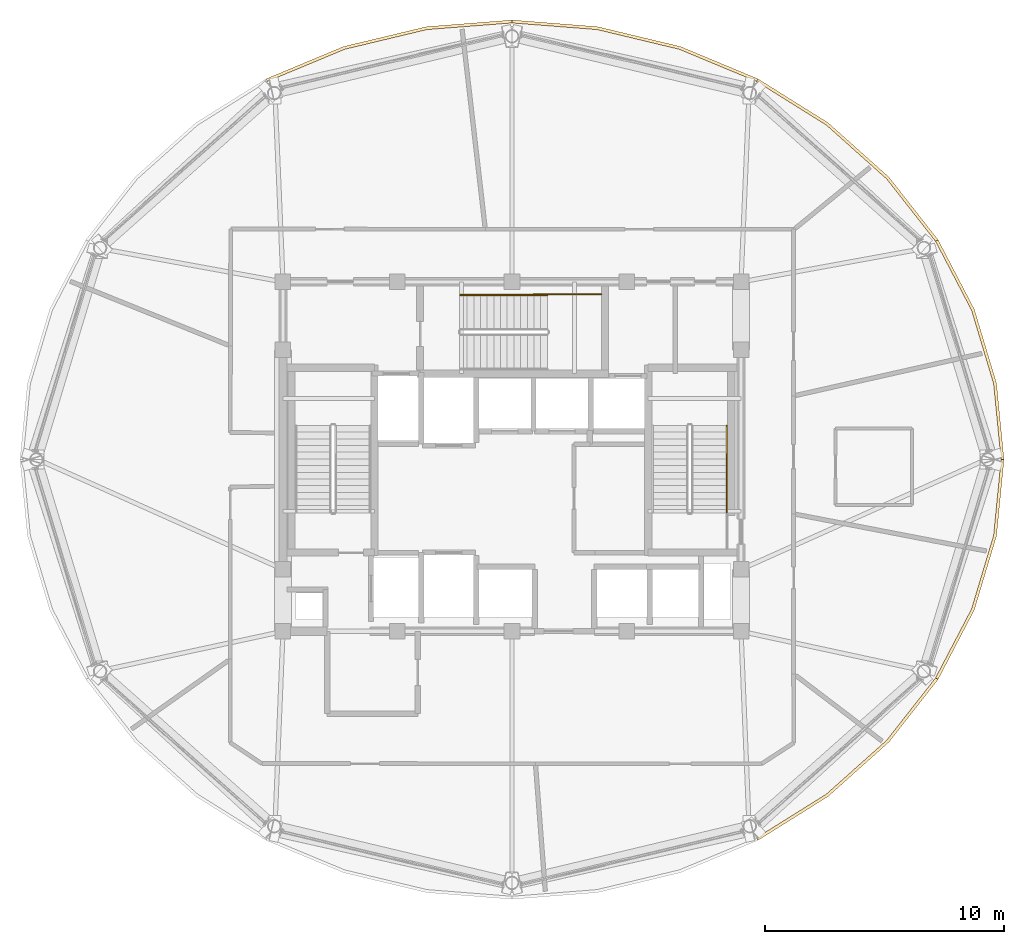
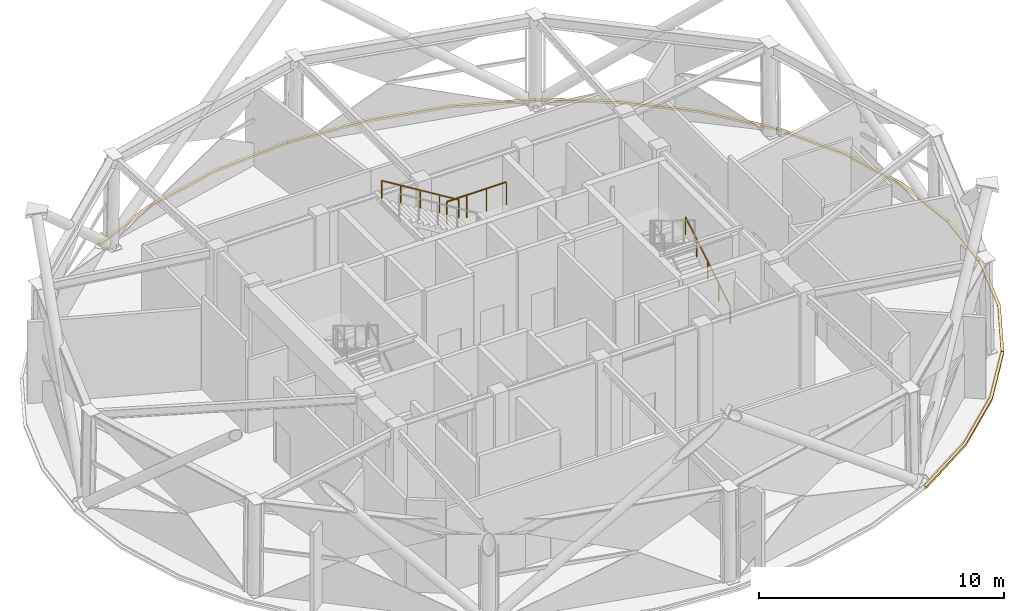
# One storey, part 14 of 14: 6 coverings, 3 railings.
"""IFC4 building model written with IfcOpenShell, lengths in metres."""

import ifcopenshell
import ifcopenshell.guid

model = None  # the IFC model being written
_history = None  # IfcOwnerHistory: only IFC2X3 demands one
_inside = {}  # id of a spatial element -> (the spatial element, [elements in it])
_under = {}  # id of a project, library or spatial element -> (it, [spatial elements below it])
_declared = {}  # id of a project -> (the project, [libraries it declares])
_typed = {}  # id of a type object -> (the type object, [elements of that type])
_made_of = {}  # id of a material, layer set ... -> (it, [elements and type objects made of it])


def new_model(schema):
    """Start an empty IFC model of exactly this schema.

    Asked for "IFC4X3", IfcOpenShell would pick the latest addendum, in which some entities
    have other attributes; the version numbers below select the first issue.
    IFC2X3 requires an IfcOwnerHistory on every rooted entity: one is made here for all.
    """
    global model, _history
    if schema == "IFC4X3":
        model = ifcopenshell.file(schema_version=(4, 3, 0, 0))
    else:
        model = ifcopenshell.file(schema=schema)
    _inside.clear()
    _under.clear()
    _declared.clear()
    _typed.clear()
    _made_of.clear()
    _history = None
    if model.schema == "IFC2X3":
        org = make("IfcOrganization", Name="unknown")
        user = make(
            "IfcPersonAndOrganization",
            ThePerson=make("IfcPerson", FamilyName="unknown"),
            TheOrganization=org,
        )
        app = make(
            "IfcApplication",
            ApplicationDeveloper=org,
            Version="unknown",
            ApplicationFullName="unknown",
            ApplicationIdentifier="unknown",
        )
        _history = make(
            "IfcOwnerHistory",
            OwningUser=user,
            OwningApplication=app,
            ChangeAction="ADDED",
            CreationDate=0,
        )
    return model


def make(cls, **values):
    """One entity of the class cls with the attributes given. An attribute that is None is left unset."""
    return model.create_entity(
        cls, **{name: value for name, value in values.items() if value is not None}
    )


def rooted(cls, **values):
    """An entity with a GlobalId (a new one), such as an element, a storey or a relation."""
    return make(cls, GlobalId=ifcopenshell.guid.new(), OwnerHistory=_history, **values)


def si_unit(unit_type, name, prefix=None):
    """IfcSIUnit, for example si_unit("LENGTHUNIT", "METRE", prefix="MILLI")."""
    return make("IfcSIUnit", UnitType=unit_type, Prefix=prefix, Name=name)


def assignment(units):
    """IfcUnitAssignment: the units of a project."""
    return None if units is None else make("IfcUnitAssignment", Units=units)


def point(xyz):
    """IfcCartesianPoint."""
    return None if xyz is None else make("IfcCartesianPoint", Coordinates=xyz)


def direction(xyz):
    """IfcDirection."""
    return None if xyz is None else make("IfcDirection", DirectionRatios=xyz)


def frame(location, z_axis=None, x_axis=None):
    """IfcAxis2Placement3D, a coordinate frame: its origin and axes. An axis left out is left unset."""
    return make(
        "IfcAxis2Placement3D",
        Location=point(location),
        Axis=direction(z_axis),
        RefDirection=direction(x_axis),
    )


def frame_2d(location, x_axis=None):
    """IfcAxis2Placement2D, a coordinate frame in the plane: its origin and x axis."""
    return make(
        "IfcAxis2Placement2D", Location=point(location), RefDirection=direction(x_axis)
    )


def origin():
    """The frame at (0, 0, 0) with its axes left unset."""
    return frame((0.0, 0.0, 0.0))


def origin_2d():
    """The frame at (0, 0) in the plane with its x axis left unset."""
    return frame_2d((0.0, 0.0))


def place(relative_to, where):
    """IfcLocalPlacement: puts the frame where relative to a parent placement (None: the world)."""
    return make(
        "IfcLocalPlacement", PlacementRelTo=relative_to, RelativePlacement=where
    )


def context(
    kind, dimensions, precision=None, world=None, true_north=None, identifier=None
):
    """IfcGeometricRepresentationContext, for example the 3D "Model" context."""
    return make(
        "IfcGeometricRepresentationContext",
        ContextIdentifier=identifier,
        ContextType=kind,
        CoordinateSpaceDimension=dimensions,
        Precision=precision,
        WorldCoordinateSystem=world,
        TrueNorth=true_north,
    )


def subcontext(parent, identifier, kind, view, scale=None):
    """IfcGeometricRepresentationSubContext, for example "Body" below "Model"."""
    return make(
        "IfcGeometricRepresentationSubContext",
        ContextIdentifier=identifier,
        ContextType=kind,
        ParentContext=parent,
        TargetScale=scale,
        TargetView=view,
    )


def project(units=None, contexts=None):
    """IfcProject with its units and contexts."""
    return rooted(
        "IfcProject",
        Name="project",
        RepresentationContexts=contexts,
        UnitsInContext=assignment(units),
    )


def spatial(cls, under=None, at=None, **own):
    """A site, building, storey or space (cls), placed at a placement, below another one or the project."""
    s = rooted(cls, ObjectPlacement=at, **own)
    if under is not None:
        _under.setdefault(under.id(), (under, []))[1].append(s)
    return s


def polyline(points):
    """IfcPolyline through the points."""
    return make("IfcPolyline", Points=[point(p) for p in points])


def profile(cls, at=None, kind="AREA", **sizes):
    """A parametric profile (cls). Its sizes go by their IFC names, for example OverallWidth=200.0."""
    return make(cls, ProfileType=kind, Position=at, **sizes)


def rectangle(**sizes):
    """IfcRectangleProfileDef."""
    return profile("IfcRectangleProfileDef", **sizes)


def outline(outer, holes=None, kind="AREA"):
    """IfcArbitraryClosedProfileDef: a profile drawn as a closed curve; with holes, ...WithVoids."""
    if holes is None:
        return make("IfcArbitraryClosedProfileDef", ProfileType=kind, OuterCurve=outer)
    return make(
        "IfcArbitraryProfileDefWithVoids",
        ProfileType=kind,
        OuterCurve=outer,
        InnerCurves=holes,
    )


def extrude(swept, where, along, depth):
    """IfcExtrudedAreaSolid: the profile swept, set in the frame where, extruded along a direction by depth."""
    return make(
        "IfcExtrudedAreaSolid",
        SweptArea=swept,
        Position=where,
        ExtrudedDirection=direction(along),
        Depth=depth,
    )


def shape(context_of_items, identifier, shape_type, items):
    """IfcShapeRepresentation: the items that make up one representation, for example the "Body"."""
    return make(
        "IfcShapeRepresentation",
        ContextOfItems=context_of_items,
        RepresentationIdentifier=identifier,
        RepresentationType=shape_type,
        Items=items,
    )


def material(Name=None, Category=None):
    """IfcMaterial."""
    return make("IfcMaterial", Name=Name, Category=Category)


def layer(
    of_material, thickness, ventilated=None, Name=None, Category=None, Priority=None
):
    """IfcMaterialLayer: one layer of a wall or slab, of a material (None: an air gap)."""
    return make(
        "IfcMaterialLayer",
        Material=of_material,
        LayerThickness=thickness,
        IsVentilated=ventilated,
        Name=Name,
        Category=Category,
        Priority=Priority,
    )


def layer_set(layers, Name=None):
    """IfcMaterialLayerSet."""
    return make("IfcMaterialLayerSet", MaterialLayers=layers, LayerSetName=Name)


def made_of(thing, what):
    """Note that an element or type object is made of a material, layer set ...; save() writes the relation."""
    if what is not None:
        _made_of.setdefault(what.id(), (what, []))[1].append(thing)
    return thing


def type_object(cls, material=None, **own):
    """A type object (cls), such as IfcWallType, which elements share."""
    return made_of(rooted(cls, **own), material)


def element(
    cls,
    number,
    at=None,
    inside=None,
    cuts=None,
    type_object=None,
    material=None,
    context=None,
    identifier="Body",
    shape_type=None,
    held_by="IfcProductDefinitionShape",
    body=None,
    shapes=None,
    **own,
):
    """One element of the class cls, such as IfcWall. Its Tag is "e" and its number.

    at: its placement. inside: the storey or other place that contains it. cuts: it is an
    opening in that element (IfcRelVoidsElement). A single representation is given by context,
    identifier, shape_type and body (its items); several are given by shapes. held_by: the class
    of the entity that holds the representations. save() writes the other relations.
    """
    e = rooted(cls, Tag="e%d" % number, ObjectPlacement=at, **own)
    if body is not None:
        shapes = [shape(context, identifier, shape_type, body)]
    if shapes is not None:
        e.Representation = make(held_by, Representations=shapes)
    if inside is not None:
        _inside.setdefault(inside.id(), (inside, []))[1].append(e)
    if cuts is not None:
        rooted(
            "IfcRelVoidsElement", RelatingBuildingElement=cuts, RelatedOpeningElement=e
        )
    if type_object is not None:
        _typed.setdefault(type_object.id(), (type_object, []))[1].append(e)
    return made_of(e, material)


def aggregate(whole, parts):
    """IfcRelAggregates: a whole, such as a stair, and the parts it consists of."""
    return rooted("IfcRelAggregates", RelatingObject=whole, RelatedObjects=parts)


def save(model, path):
    """Write the relations noted so far, then the file.

    IfcRelAggregates (storeys below a building ...), IfcRelContainedInSpatialStructure (elements
    in a storey), IfcRelDefinesByType, IfcRelAssociatesMaterial and IfcRelDeclares: one each for
    every whole, place, type object, material and project.
    """
    for whole, parts in _under.values():
        aggregate(whole, parts)
    for where, things in _inside.values():
        rooted(
            "IfcRelContainedInSpatialStructure",
            RelatedElements=things,
            RelatingStructure=where,
        )
    for kind, things in _typed.values():
        rooted("IfcRelDefinesByType", RelatedObjects=things, RelatingType=kind)
    for what, things in _made_of.values():
        rooted("IfcRelAssociatesMaterial", RelatedObjects=things, RelatingMaterial=what)
    for by, libraries in _declared.values():
        rooted("IfcRelDeclares", RelatingContext=by, RelatedDefinitions=libraries)
    model.write(path)


model = new_model("IFC4")

# Units and contexts
model_context = context("Model", 3, precision=1e-05, world=origin(), true_north=direction((0.0, 1.0)))
body_context = subcontext(model_context, "Body", "Model", "MODEL_VIEW")
ifc_project = project(units=[si_unit("LENGTHUNIT", "METRE"), si_unit("AREAUNIT", "SQUARE_METRE"), si_unit("VOLUMEUNIT", "CUBIC_METRE"), si_unit("PLANEANGLEUNIT", "RADIAN"), si_unit("MASSUNIT", "GRAM", prefix="KILO")], contexts=[model_context])

# Site, building, storey
site_placement = place(None, origin())
site = spatial("IfcSite", under=ifc_project, at=site_placement, CompositionType="ELEMENT")
building_placement = place(site_placement, origin())
building = spatial("IfcBuilding", under=site, at=building_placement, Name="Vantalir Tower", CompositionType="ELEMENT")
storey_placement = place(building_placement, frame((0.0, 0.0, 259.050048828125)))
storey = spatial("IfcBuildingStorey", under=building, at=storey_placement, Name="L65", CompositionType="ELEMENT", Elevation=259.050048828125)

# Coverings
ifc_material_1 = material(Name="Anodised champagne aluminium sill fascia", Category="aluminium")
ifc_layer = layer(ifc_material_1, 0.125)
ifc_layer_set = layer_set([ifc_layer], Name="Anodised champagne aluminium sill fascia")
covering_type = type_object("IfcCoveringType", Name="COV-SLAB-FASCIA-125", PredefinedType="CLADDING", material=ifc_layer_set)
covering_1_placement = place(storey_placement, frame((0.0, 0.0, -0.179931640625)))
element("IfcCovering", 1, at=covering_1_placement, inside=storey, type_object=covering_type, Name="L65 Perimeter Slab-Edge Sill Fascia 01", PredefinedType="CLADDING", context=body_context, shape_type="SweptSolid", body=[
    extrude(outline(polyline([(52.125, 25.0), (51.81201171875, 28.199951171875), (50.881103515625, 31.302978515625), (49.362060546875, 34.214111328125), (49.25390625, 34.152099609375), (50.763916015625, 31.260009765625), (51.68896484375, 28.177978515625), (52.0, 25.0), (52.125, 25.0)])), origin(), (0.0, 0.0, 1.0), 0.10498046875),
])
covering_2_placement = place(storey_placement, frame((0.0, 0.0, -0.179931640625)))
element("IfcCovering", 2, at=covering_2_placement, inside=storey, type_object=covering_type, Name="L65 Perimeter Slab-Edge Sill Fascia 02", PredefinedType="CLADDING", context=body_context, shape_type="SweptSolid", body=[
    extrude(outline(polyline([(49.362060546875, 34.214111328125), (47.300048828125, 36.845947265625), (44.757080078125, 39.116943359375), (41.81298828125, 40.9599609375), (41.75, 40.85205078125), (44.677001953125, 39.02197265625), (47.2041015625, 36.76611328125), (49.25390625, 34.152099609375), (49.362060546875, 34.214111328125)])), origin(), (0.0, 0.0, 1.0), 0.10498046875),
])
covering_3_placement = place(storey_placement, frame((0.0, 0.0, -0.179931640625)))
element("IfcCovering", 3, at=covering_3_placement, inside=storey, type_object=covering_type, Name="L65 Perimeter Slab-Edge Sill Fascia 03", PredefinedType="CLADDING", context=body_context, shape_type="SweptSolid", body=[
    extrude(outline(polyline([(41.81298828125, 40.9599609375), (38.553955078125, 42.318115234375), (35.0810546875, 43.14892578125), (31.5, 43.428955078125), (31.5, 43.303955078125), (35.06005859375, 43.02587890625), (38.510986328125, 42.199951171875), (41.75, 40.85205078125), (41.81298828125, 40.9599609375)])), origin(), (0.0, 0.0, 1.0), 0.10498046875),
])
covering_4_placement = place(storey_placement, frame((0.0, 0.0, -0.179931640625)))
element("IfcCovering", 4, at=covering_4_placement, inside=storey, type_object=covering_type, Name="L65 Perimeter Slab-Edge Sill Fascia 04", PredefinedType="CLADDING", context=body_context, shape_type="SweptSolid", body=[
    extrude(outline(polyline([(31.5, 43.428955078125), (27.9189453125, 43.14892578125), (24.446044921875, 42.318115234375), (21.18798828125, 40.9599609375), (21.25, 40.85205078125), (24.489013671875, 42.199951171875), (27.93994140625, 43.02587890625), (31.5, 43.303955078125), (31.5, 43.428955078125)])), origin(), (0.0, 0.0, 1.0), 0.10498046875),
])
covering_5_placement = place(storey_placement, frame((0.0, 0.0, -0.179931640625)))
element("IfcCovering", 5, at=covering_5_placement, inside=storey, type_object=covering_type, Name="L65 Perimeter Slab-Edge Sill Fascia 11", PredefinedType="CLADDING", context=body_context, shape_type="SweptSolid", body=[
    extrude(outline(polyline([(41.81298828125, 9.0400390625), (44.757080078125, 10.883056640625), (47.300048828125, 13.154052734375), (49.362060546875, 15.784912109375), (49.25390625, 15.847900390625), (47.2041015625, 13.23388671875), (44.677001953125, 10.97802734375), (41.75, 9.14794921875), (41.81298828125, 9.0400390625)])), origin(), (0.0, 0.0, 1.0), 0.10498046875),
])
covering_6_placement = place(storey_placement, frame((0.0, 0.0, -0.179931640625)))
element("IfcCovering", 6, at=covering_6_placement, inside=storey, type_object=covering_type, Name="L65 Perimeter Slab-Edge Sill Fascia 12", PredefinedType="CLADDING", context=body_context, shape_type="SweptSolid", body=[
    extrude(outline(polyline([(49.362060546875, 15.784912109375), (50.881103515625, 18.697021484375), (51.81201171875, 21.800048828125), (52.125, 25.0), (52.0, 25.0), (51.68896484375, 21.822021484375), (50.763916015625, 18.739990234375), (49.25390625, 15.847900390625), (49.362060546875, 15.784912109375)])), origin(), (0.0, 0.0, 1.0), 0.10498046875),
])

# Railings
ifc_material_2 = material(Name="Anodised aluminium and stainless steel guard", Category="steel")
railing_type_1 = type_object("IfcRailingType", Name="RAL-GUARD-1120", PredefinedType="GUARDRAIL", material=ifc_material_2)
railing_1_placement = place(storey_placement, frame((32.419921875, 31.929931640625, 2.39990234375)))
element("IfcRailing", 7, at=railing_1_placement, inside=storey, type_object=railing_type_1, Name="L65 Stair ST3 Half-Landing Slot Guard", PredefinedType="GUARDRAIL", context=body_context, shape_type="SweptSolid", body=[
    extrude(rectangle(XDim=0.048095703125, YDim=0.048095703125, at=origin_2d()), frame((0.0, 0.0, 1.1259765625), z_axis=(1.0, 0.0, 0.0), x_axis=(0.0, 1.0, 0.0)), (0.0, 0.0, 1.0), 2.820068359375),
    extrude(rectangle(XDim=0.0419921875, YDim=0.0419921875, at=origin_2d()), origin(), (0.0, 0.0, 1.0), 1.101806640625),
    extrude(rectangle(XDim=0.0419921875, YDim=0.0419921875, at=origin_2d()), frame((0.93994140625, 0.0, 0.0)), (0.0, 0.0, 1.0), 1.101806640625),
    extrude(rectangle(XDim=0.0419921875, YDim=0.0419921875, at=origin_2d()), frame((1.880126953125, 0.0, 0.0)), (0.0, 0.0, 1.0), 1.101806640625),
    extrude(rectangle(XDim=0.0419921875, YDim=0.0419921875, at=origin_2d()), frame((2.820068359375, 0.0, 0.0)), (0.0, 0.0, 1.0), 1.101806640625),
])
ifc_material_3 = material(Name="Brushed stainless steel tubular handrail", Category="steel")
railing_type_2 = type_object("IfcRailingType", Name="RAL-HANDRAIL-900", PredefinedType="HANDRAIL", material=ifc_material_3)
railing_2_placement = place(storey_placement, frame((40.5, 22.7900390625, 0.17138671875)))
element("IfcRailing", 8, at=railing_2_placement, inside=storey, type_object=railing_type_2, Name="L65 ST2 stair handrail 1", PredefinedType="HANDRAIL", context=body_context, shape_type="SweptSolid", body=[
    extrude(rectangle(XDim=0.048095703125, YDim=0.048095703125, at=origin_2d()), frame((0.0, 0.0, 0.8759765625), z_axis=(0.0, 0.852850264322, 0.5221555579), x_axis=(-1.0, 0.0, 0.0)), (0.0, 0.0, 1.0), 4.267822265625),
    extrude(rectangle(XDim=0.0419921875, YDim=0.0419921875, at=origin_2d()), origin(), (0.0, 0.0, 1.0), 0.851806640625),
    extrude(rectangle(XDim=0.0419921875, YDim=0.0419921875, at=origin_2d()), frame((0.0, 0.909912109375, 0.55712890625)), (0.0, 0.0, 1.0), 0.851806640625),
    extrude(rectangle(XDim=0.0419921875, YDim=0.0419921875, at=origin_2d()), frame((0.0, 1.81982421875, 1.1142578125)), (0.0, 0.0, 1.0), 0.851806640625),
    extrude(rectangle(XDim=0.0419921875, YDim=0.0419921875, at=origin_2d()), frame((0.0, 2.72998046875, 1.67138671875)), (0.0, 0.0, 1.0), 0.851806640625),
    extrude(rectangle(XDim=0.0419921875, YDim=0.0419921875, at=origin_2d()), frame((0.0, 3.639892578125, 2.228515625)), (0.0, 0.0, 1.0), 0.851806640625),
])
railing_3_placement = place(storey_placement, frame((32.97998046875, 31.89990234375, 2.5712890625)))
element("IfcRailing", 9, at=railing_3_placement, inside=storey, type_object=railing_type_2, Name="L65 ST3 stair handrail 2", PredefinedType="HANDRAIL", context=body_context, shape_type="SweptSolid", body=[
    extrude(rectangle(XDim=0.048095703125, YDim=0.048095703125, at=origin_2d()), frame((0.0, 0.0, 0.8759765625), z_axis=(-0.852824790078, 0.0, 0.522197163366), x_axis=(0.0, -1.0, 0.0)), (0.0, 0.0, 1.0), 4.26806640625),
    extrude(rectangle(XDim=0.0419921875, YDim=0.0419921875, at=origin_2d()), origin(), (0.0, 0.0, 1.0), 0.851806640625),
    extrude(rectangle(XDim=0.0419921875, YDim=0.0419921875, at=origin_2d()), frame((-0.909912109375, 0.0, 0.55712890625)), (0.0, 0.0, 1.0), 0.851806640625),
    extrude(rectangle(XDim=0.0419921875, YDim=0.0419921875, at=origin_2d()), frame((-1.81982421875, 0.0, 1.1142578125)), (0.0, 0.0, 1.0), 0.851806640625),
    extrude(rectangle(XDim=0.0419921875, YDim=0.0419921875, at=origin_2d()), frame((-2.72998046875, 0.0, 1.671630859375)), (0.0, 0.0, 1.0), 0.851806640625),
    extrude(rectangle(XDim=0.0419921875, YDim=0.0419921875, at=origin_2d()), frame((-3.639892578125, 0.0, 2.228759765625)), (0.0, 0.0, 1.0), 0.851806640625),
])

save(model, "model.ifc")
